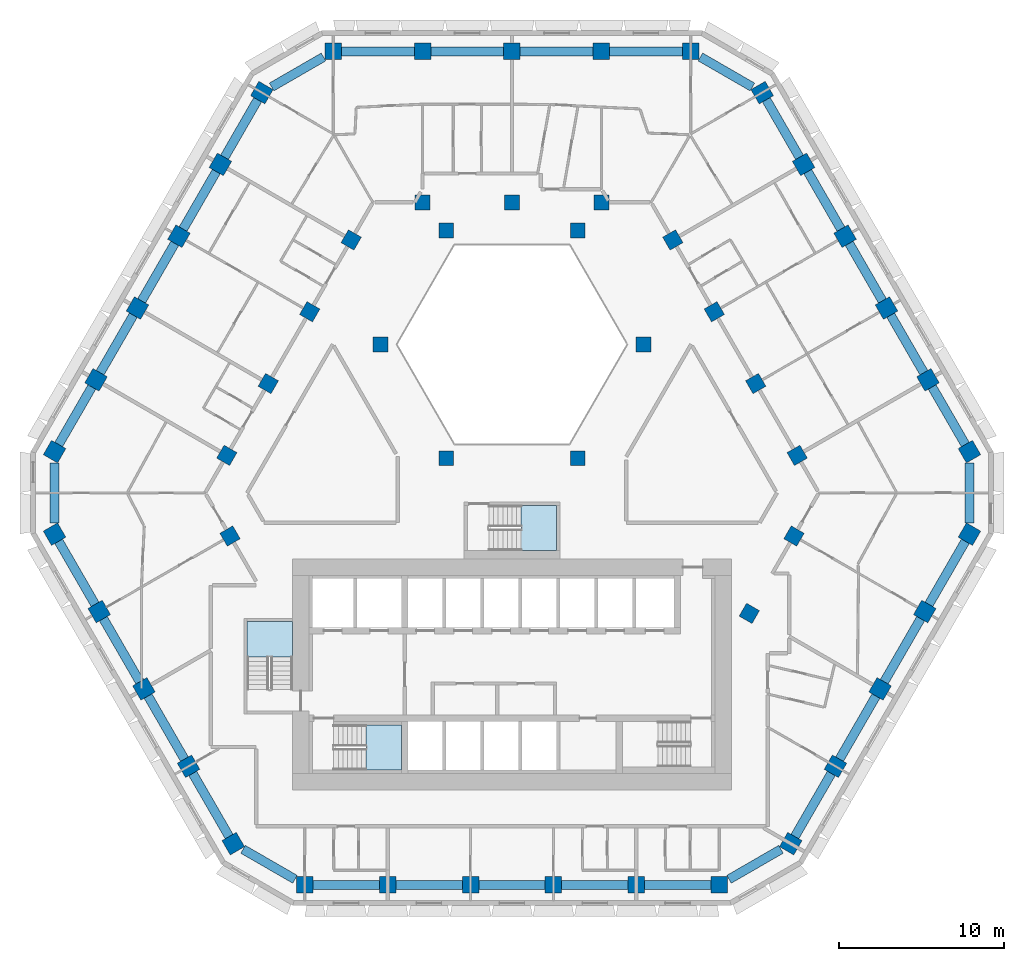
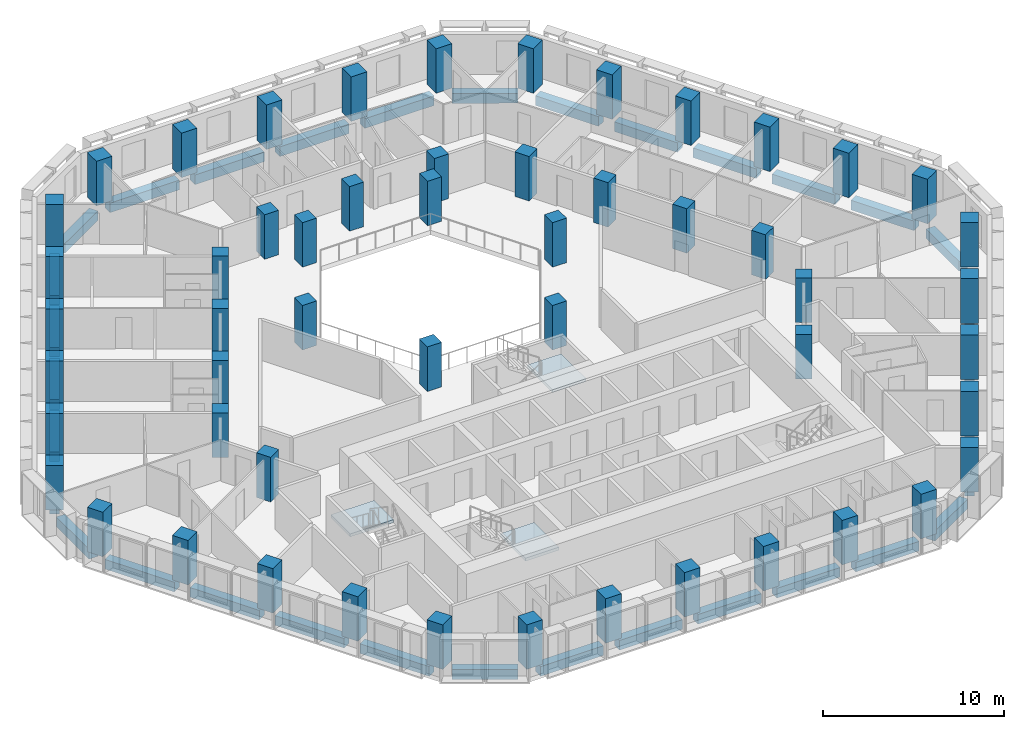
# One storey, part 1 of 15: 53 columns, 33 beams, 3 slabs, 3 elements without a shape of their own.
"""IFC4 building model written with IfcOpenShell, lengths in metres."""

from ifc_helpers import new_model, si_unit, direction, frame, origin, origin_2d, place, context, subcontext, project, spatial, polyline, rectangle, outline, extrude, material, layer, layer_set, material_profile, profile_set, type_object, element, aggregate, save


model = new_model("IFC4")

# Units and contexts
model_context = context("Model", 3, precision=1e-05, world=origin(), true_north=direction((0.0, 1.0)))
body_context = subcontext(model_context, "Body", "Model", "MODEL_VIEW")
ifc_project = project(units=[si_unit("LENGTHUNIT", "METRE"), si_unit("AREAUNIT", "SQUARE_METRE"), si_unit("VOLUMEUNIT", "CUBIC_METRE"), si_unit("PLANEANGLEUNIT", "RADIAN"), si_unit("MASSUNIT", "GRAM", prefix="KILO")], contexts=[model_context])

# Site, building, storey
site_placement = place(None, origin())
site = spatial("IfcSite", under=ifc_project, at=site_placement, CompositionType="ELEMENT")
building_placement = place(site_placement, origin())
building = spatial("IfcBuilding", under=site, at=building_placement, Name="Beryl Residences", CompositionType="ELEMENT")
storey_placement = place(building_placement, frame((0.0, 0.0, 78.0)))
storey = spatial("IfcBuildingStorey", under=building, at=storey_placement, Name="L23", CompositionType="ELEMENT", Elevation=78.0)

# Columns
ifc_material_1 = material(Name="Concrete C70/85", Category="concrete")
ifc_material_profile_1 = material_profile(ifc_material_1, rectangle(XDim=1.0, YDim=1.0, at=origin_2d()))
ifc_profile_set_1 = profile_set([ifc_material_profile_1], Name="Concrete C70/85")
column_type_1 = type_object("IfcColumnType", Name="C2 tube column 1000 x 1000 C70/85", PredefinedType="COLUMN", material=ifc_profile_set_1)
for number, where, z_axis, x_axis, name in (
    (1, (10.824951171875, 25.75, 0.0), (0.0, 0.0, 1.0), (-1.0, 0.0, 0.0), "C2-N1 L23"),
    (2, (5.412109375, 25.75, 0.0), (0.0, 0.0, 1.0), (-1.0, 0.0, 0.0), "C2-N2 L23"),
    (3, (-0.0009765625, 25.75, 0.0), (0.0, 0.0, 1.0), (-1.0, 0.0, 0.0), "C2-N3 L23"),
    (4, (-5.4140625, 25.75, 0.0), (0.0, 0.0, 1.0), (-1.0, 0.0, 0.0), "C2-N4 L23"),
    (5, (-10.826904296875, 25.75, 0.0), (0.0, 0.0, 1.0), (-1.0, 0.0, 0.0), "C2-N5 L23"),
    (6, (-15.155029296875, 23.2509765625, 0.0), (0.0, 0.0, 1.0), (-0.5, -0.866025403784, 0.0), "C2-NW1 L23"),
    (7, (-17.6669921875, 18.89990234375, 0.0), (0.0, 0.0, 1.0), (-0.5, -0.866025403784, 0.0), "C2-NW2 L23"),
    (8, (-20.177978515625, 14.550048828125, 0.0), (0.0, 0.0, 1.0), (-0.5, -0.866025403784, 0.0), "C2-NW3 L23"),
    (9, (-22.68994140625, 10.199951171875, 0.0), (0.0, 0.0, 1.0), (-0.5, -0.866025403784, 0.0), "C2-NW4 L23"),
    (10, (-25.201904296875, 5.85009765625, 0.0), (0.0, 0.0, 1.0), (-0.5, -0.866025403784, 0.0), "C2-NW5 L23"),
    (11, (-27.712890625, 1.5, 0.0), (0.0, 0.0, 1.0), (-0.5, -0.866025403784, 0.0), "C2-NW6 L23"),
    (12, (-27.714111328125, -3.4990234375, 0.0), (0.0, 0.0, 1.0), (0.5, -0.866025403784, 0.0), "C2-SW1 L23"),
    (13, (-25.007080078125, -8.18701171875, 0.0), (0.0, 0.0, 1.0), (0.5, -0.866025403784, 0.0), "C2-SW2 L23"),
    (14, (-22.300048828125, -12.875, 0.0), (0.0, 0.0, 1.0), (0.5, -0.866025403784, 0.0), "C2-SW3 L23"),
    (15, (-19.593994140625, -17.56298828125, 0.0), (0.0, 0.0, 1.0), (0.5, -0.866025403784, 0.0), "C2-SW4 L23"),
    (16, (-16.886962890625, -22.2509765625, 0.0), (0.0, 0.0, 1.0), (0.5, -0.866025403784, 0.0), "C2-SW5 L23"),
    (17, (-12.556884765625, -24.75, 0.0), (0.0, 0.0, 1.0), (1.0, 0.0, 0.0), "C2-S1 L23"),
    (18, (-7.533935546875, -24.75, 0.0), (0.0, 0.0, 1.0), (1.0, 0.0, 0.0), "C2-S2 L23"),
    (19, (-2.510986328125, -24.75, 0.0), (0.0, 0.0, 1.0), (1.0, 0.0, 0.0), "C2-S3 L23"),
    (20, (2.511962890625, -24.75, 0.0), (0.0, 0.0, 1.0), (1.0, 0.0, 0.0), "C2-S4 L23"),
    (21, (7.534912109375, -24.75, 0.0), (0.0, 0.0, 1.0), (1.0, 0.0, 0.0), "C2-S5 L23"),
    (22, (12.55810546875, -24.75, 0.0), (0.0, 0.0, 1.0), (1.0, 0.0, 0.0), "C2-S6 L23"),
    (23, (16.886962890625, -22.2509765625, 0.0), (0.0, 0.0, 1.0), (0.5, 0.866025403784, 0.0), "C2-SE1 L23"),
    (24, (19.593994140625, -17.56298828125, 0.0), (0.0, 0.0, 1.0), (0.5, 0.866025403784, 0.0), "C2-SE2 L23"),
    (25, (22.300048828125, -12.875, 0.0), (0.0, 0.0, 1.0), (0.5, 0.866025403784, 0.0), "C2-SE3 L23"),
    (26, (25.007080078125, -8.18701171875, 0.0), (0.0, 0.0, 1.0), (0.5, 0.866025403784, 0.0), "C2-SE4 L23"),
    (27, (27.714111328125, -3.4990234375, 0.0), (0.0, 0.0, 1.0), (0.5, 0.866025403784, 0.0), "C2-SE5 L23"),
    (28, (27.714111328125, 1.4990234375, 0.0), (0.0, 0.0, 1.0), (-0.5, 0.866025403784, 0.0), "C2-NE1 L23"),
    (29, (25.201904296875, 5.85009765625, 0.0), (0.0, 0.0, 1.0), (-0.5, 0.866025403784, 0.0), "C2-NE2 L23"),
    (30, (22.68994140625, 10.199951171875, 0.0), (0.0, 0.0, 1.0), (-0.5, 0.866025403784, 0.0), "C2-NE3 L23"),
    (31, (20.178955078125, 14.550048828125, 0.0), (0.0, 0.0, 1.0), (-0.5, 0.866025403784, 0.0), "C2-NE4 L23"),
    (32, (17.6669921875, 18.89990234375, 0.0), (0.0, 0.0, 1.0), (-0.5, 0.866025403784, 0.0), "C2-NE5 L23"),
    (33, (15.156005859375, 23.25, 0.0), (0.0, 0.0, 1.0), (-0.5, 0.866025403784, 0.0), "C2-NE6 L23"),
):
    element("IfcColumn", number, at=place(storey_placement, frame(where, z_axis=z_axis, x_axis=x_axis)), inside=storey, type_object=column_type_1, Name=name, PredefinedType="COLUMN", context=body_context, shape_type="SweptSolid", body=[
        extrude(rectangle(XDim=1.0, YDim=1.0, at=origin_2d()), origin(), (0.0, 0.0, 1.0), 3.0),
    ])
ifc_material_2 = material(Name="Concrete C70/85", Category="concrete")
ifc_material_profile_2 = material_profile(ifc_material_2, rectangle(XDim=0.89990234375, YDim=0.89990234375, at=origin_2d()))
ifc_profile_set_2 = profile_set([ifc_material_profile_2], Name="Concrete C70/85")
column_type_2 = type_object("IfcColumnType", Name="IC2 interior column 900 x 900 C70/85", PredefinedType="COLUMN", material=ifc_profile_set_2)
for number, where, z_axis, x_axis, name in (
    (34, (-17.0830078125, -3.612060546875, 0.0), (0.0, 0.0, 1.0), (0.5, -0.866025403784, 0.0), "IC2-M01 L23"),
    (35, (14.3759765625, -8.300048828125, 0.0), (0.0, 0.0, 1.0), (0.5, 0.866025403784, 0.0), "IC2-M02 L23"),
    (36, (17.0830078125, -3.612060546875, 0.0), (0.0, 0.0, 1.0), (0.5, 0.866025403784, 0.0), "IC2-M03 L23"),
    (37, (17.278076171875, 1.27392578125, 0.0), (0.0, 0.0, 1.0), (-0.5, 0.866025403784, 0.0), "IC2-M04 L23"),
    (38, (3.98388671875, 1.10009765625, 0.0), (0.0, 0.0, 1.0), (1.0, 0.0, 0.0), "IC2-A05 L23"),
    (39, (14.76611328125, 5.625, 0.0), (0.0, 0.0, 1.0), (-0.5, 0.866025403784, 0.0), "IC2-M06 L23"),
    (40, (12.2548828125, 9.97509765625, 0.0), (0.0, 0.0, 1.0), (-0.5, 0.866025403784, 0.0), "IC2-M07 L23"),
    (41, (7.967041015625, 8.0, 0.0), (0.0, 0.0, 1.0), (1.0, 0.0, 0.0), "IC2-A08 L23"),
    (42, (9.742919921875, 14.324951171875, 0.0), (0.0, 0.0, 1.0), (-0.5, 0.866025403784, 0.0), "IC2-M09 L23"),
    (43, (5.412109375, 16.60009765625, 0.0), (0.0, 0.0, 1.0), (-1.0, 0.0, 0.0), "IC2-M10 L23"),
    (44, (3.98388671875, 14.89990234375, 0.0), (0.0, 0.0, 1.0), (1.0, 0.0, 0.0), "IC2-A11 L23"),
    (45, (-0.0009765625, 16.60009765625, 0.0), (0.0, 0.0, 1.0), (-1.0, 0.0, 0.0), "IC2-M12 L23"),
    (46, (-3.98388671875, 14.89990234375, 0.0), (0.0, 0.0, 1.0), (1.0, 0.0, 0.0), "IC2-A13 L23"),
    (47, (-5.4140625, 16.60009765625, 0.0), (0.0, 0.0, 1.0), (-1.0, 0.0, 0.0), "IC2-M14 L23"),
    (48, (-9.742919921875, 14.324951171875, 0.0), (0.0, 0.0, 1.0), (-0.5, -0.866025403784, 0.0), "IC2-M15 L23"),
    (49, (-7.967041015625, 8.0, 0.0), (0.0, 0.0, 1.0), (1.0, 0.0, 0.0), "IC2-A16 L23"),
    (50, (-12.25390625, 9.97509765625, 0.0), (0.0, 0.0, 1.0), (-0.5, -0.866025403784, 0.0), "IC2-M17 L23"),
    (51, (-14.76611328125, 5.625, 0.0), (0.0, 0.0, 1.0), (-0.5, -0.866025403784, 0.0), "IC2-M18 L23"),
    (52, (-3.98388671875, 1.10009765625, 0.0), (0.0, 0.0, 1.0), (1.0, 0.0, 0.0), "IC2-A19 L23"),
    (53, (-17.277099609375, 1.27490234375, 0.0), (0.0, 0.0, 1.0), (-0.5, -0.866025403784, 0.0), "IC2-M20 L23"),
):
    element("IfcColumn", number, at=place(storey_placement, frame(where, z_axis=z_axis, x_axis=x_axis)), inside=storey, type_object=column_type_2, Name=name, PredefinedType="COLUMN", context=body_context, shape_type="SweptSolid", body=[
        extrude(rectangle(XDim=0.89990234375, YDim=0.89990234375, at=origin_2d()), origin(), (0.0, 0.0, 1.0), 3.0),
    ])

# Beams
ifc_material_3 = material(Name="Concrete C70/85", Category="concrete")
ifc_material_profile_3 = material_profile(ifc_material_3, rectangle(XDim=0.550048828125, YDim=0.64990234375, at=origin_2d()))
ifc_profile_set_3 = profile_set([ifc_material_profile_3], Name="Concrete C70/85")
beam_type = type_object("IfcBeamType", Name="SB2 spandrel beam 550 x 650 C70/85", PredefinedType="SPANDREL", material=ifc_profile_set_3)
beam_1_placement = place(storey_placement, frame((10.324951171875, 25.75, -0.625), z_axis=(-1.0, 0.0, 0.0), x_axis=(0.0, -1.0, 0.0)))
element("IfcBeam", 54, at=beam_1_placement, inside=storey, type_object=beam_type, Name="SB2 L23 N-0", PredefinedType="SPANDREL", context=body_context, shape_type="SweptSolid", body=[
    extrude(rectangle(XDim=0.550048828125, YDim=0.64990234375, at=origin_2d()), origin(), (0.0, 0.0, 1.0), 4.412841796875),
])
for number, where, z_axis, x_axis, name in (
    (55, (4.912109375, 25.75, -0.625), (-1.0, 0.0, 0.0), (0.0, -1.0, 0.0), "SB2 L23 N-1"),
    (56, (-0.5009765625, 25.75, -0.625), (-1.0, 0.0, 0.0), (0.0, -1.0, 0.0), "SB2 L23 N-2"),
):
    element("IfcBeam", number, at=place(storey_placement, frame(where, z_axis=z_axis, x_axis=x_axis)), inside=storey, type_object=beam_type, Name=name, PredefinedType="SPANDREL", context=body_context, shape_type="SweptSolid", body=[
        extrude(rectangle(XDim=0.550048828125, YDim=0.64990234375, at=origin_2d()), origin(), (0.0, 0.0, 1.0), 4.4130859375),
    ])
beam_2_placement = place(storey_placement, frame((-5.9140625, 25.75, -0.625), z_axis=(-1.0, 0.0, 0.0), x_axis=(0.0, -1.0, 0.0)))
element("IfcBeam", 57, at=beam_2_placement, inside=storey, type_object=beam_type, Name="SB2 L23 N-3", PredefinedType="SPANDREL", context=body_context, shape_type="SweptSolid", body=[
    extrude(rectangle(XDim=0.550048828125, YDim=0.64990234375, at=origin_2d()), origin(), (0.0, 0.0, 1.0), 4.412841796875),
])
beam_3_placement = place(storey_placement, frame((-11.41796875, 25.408935546875, -0.625), z_axis=(-0.865959503272, -0.500114125668, 0.0), x_axis=(0.500114125668, -0.865959503272, 0.0)))
element("IfcBeam", 58, at=beam_3_placement, inside=storey, type_object=beam_type, Name="SB2 L23 N-4", PredefinedType="SPANDREL", context=body_context, shape_type="SweptSolid", body=[
    extrude(rectangle(XDim=0.550048828125, YDim=0.64990234375, at=origin_2d()), origin(), (0.0, 0.0, 1.0), 3.633056640625),
])
beam_4_placement = place(storey_placement, frame((-15.405029296875, 22.818115234375, -0.625), z_axis=(-0.49996928203, -0.866043138087, 0.0), x_axis=(0.866043138087, -0.49996928203, 0.0)))
element("IfcBeam", 59, at=beam_4_placement, inside=storey, type_object=beam_type, Name="SB2 L23 NW-0", PredefinedType="SPANDREL", context=body_context, shape_type="SweptSolid", body=[
    extrude(rectangle(XDim=0.550048828125, YDim=0.64990234375, at=origin_2d()), origin(), (0.0, 0.0, 1.0), 4.024169921875),
])
beam_5_placement = place(storey_placement, frame((-17.9169921875, 18.467041015625, -0.625), z_axis=(-0.499892318183, -0.866087564985, 0.0), x_axis=(0.866087564985, -0.499892318183, 0.0)))
element("IfcBeam", 60, at=beam_5_placement, inside=storey, type_object=beam_type, Name="SB2 L23 NW-1", PredefinedType="SPANDREL", context=body_context, shape_type="SweptSolid", body=[
    extrude(rectangle(XDim=0.550048828125, YDim=0.64990234375, at=origin_2d()), origin(), (0.0, 0.0, 1.0), 4.02294921875),
])
beam_6_placement = place(storey_placement, frame((-20.427978515625, 14.116943359375, -0.625), z_axis=(-0.500100656611, -0.865967281863, 0.0), x_axis=(0.865967281863, -0.500100656611, 0.0)))
element("IfcBeam", 61, at=beam_6_placement, inside=storey, type_object=beam_type, Name="SB2 L23 NW-2", PredefinedType="SPANDREL", context=body_context, shape_type="SweptSolid", body=[
    extrude(rectangle(XDim=0.550048828125, YDim=0.64990234375, at=origin_2d()), origin(), (0.0, 0.0, 1.0), 4.023193359375),
])
beam_7_placement = place(storey_placement, frame((-22.93994140625, 9.76708984375, -0.625), z_axis=(-0.500074377092, -0.865982457891, 0.0), x_axis=(0.865982457891, -0.500074377092, 0.0)))
element("IfcBeam", 62, at=beam_7_placement, inside=storey, type_object=beam_type, Name="SB2 L23 NW-3", PredefinedType="SPANDREL", context=body_context, shape_type="SweptSolid", body=[
    extrude(rectangle(XDim=0.550048828125, YDim=0.64990234375, at=origin_2d()), origin(), (0.0, 0.0, 1.0), 4.0234375),
])
beam_8_placement = place(storey_placement, frame((-25.451904296875, 5.4169921875, -0.625), z_axis=(-0.499918594511, -0.866072398164, 0.0), x_axis=(0.866072398164, -0.499918594511, 0.0)))
element("IfcBeam", 63, at=beam_8_placement, inside=storey, type_object=beam_type, Name="SB2 L23 NW-4", PredefinedType="SPANDREL", context=body_context, shape_type="SweptSolid", body=[
    extrude(rectangle(XDim=0.550048828125, YDim=0.64990234375, at=origin_2d()), origin(), (0.0, 0.0, 1.0), 4.022705078125),
])
beam_9_placement = place(storey_placement, frame((-27.712890625, 0.81689453125, -0.625), z_axis=(-0.000336021486, -0.999999943545, 0.0), x_axis=(0.999999943545, -0.000336021486, 0.0)))
element("IfcBeam", 64, at=beam_9_placement, inside=storey, type_object=beam_type, Name="SB2 L23 NW-5", PredefinedType="SPANDREL", context=body_context, shape_type="SweptSolid", body=[
    extrude(rectangle(XDim=0.550048828125, YDim=0.64990234375, at=origin_2d()), origin(), (0.0, 0.0, 1.0), 3.6328125),
])
beam_10_placement = place(storey_placement, frame((-27.464111328125, -3.931884765625, -0.625), z_axis=(0.50006561292, -0.865987518834, 0.0), x_axis=(0.865987518834, 0.50006561292, 0.0)))
element("IfcBeam", 65, at=beam_10_placement, inside=storey, type_object=beam_type, Name="SB2 L23 SW-0", PredefinedType="SPANDREL", context=body_context, shape_type="SweptSolid", body=[
    extrude(rectangle(XDim=0.550048828125, YDim=0.64990234375, at=origin_2d()), origin(), (0.0, 0.0, 1.0), 4.41357421875),
])
beam_11_placement = place(storey_placement, frame((-24.757080078125, -8.6201171875, -0.625), z_axis=(0.500089568931, -0.865973684962, 0.0), x_axis=(0.865973684962, 0.500089568931, 0.0)))
element("IfcBeam", 66, at=beam_11_placement, inside=storey, type_object=beam_type, Name="SB2 L23 SW-1", PredefinedType="SPANDREL", context=body_context, shape_type="SweptSolid", body=[
    extrude(rectangle(XDim=0.550048828125, YDim=0.64990234375, at=origin_2d()), origin(), (0.0, 0.0, 1.0), 4.413330078125),
])
beam_12_placement = place(storey_placement, frame((-22.050048828125, -13.30810546875, -0.625), z_axis=(0.49992360228, -0.866069507536, 0.0), x_axis=(0.866069507536, 0.49992360228, 0.0)))
element("IfcBeam", 67, at=beam_12_placement, inside=storey, type_object=beam_type, Name="SB2 L23 SW-2", PredefinedType="SPANDREL", context=body_context, shape_type="SweptSolid", body=[
    extrude(rectangle(XDim=0.550048828125, YDim=0.64990234375, at=origin_2d()), origin(), (0.0, 0.0, 1.0), 4.412841796875),
])
beam_13_placement = place(storey_placement, frame((-19.343994140625, -17.99609375, -0.625), z_axis=(0.50006561292, -0.865987518834, 0.0), x_axis=(0.865987518834, 0.50006561292, 0.0)))
element("IfcBeam", 68, at=beam_13_placement, inside=storey, type_object=beam_type, Name="SB2 L23 SW-3", PredefinedType="SPANDREL", context=body_context, shape_type="SweptSolid", body=[
    extrude(rectangle(XDim=0.550048828125, YDim=0.64990234375, at=origin_2d()), origin(), (0.0, 0.0, 1.0), 4.41357421875),
])
beam_14_placement = place(storey_placement, frame((-16.2958984375, -22.592041015625, -0.625), z_axis=(0.866093873939, -0.499881387456, 0.0), x_axis=(0.499881387456, 0.866093873939, 0.0)))
element("IfcBeam", 69, at=beam_14_placement, inside=storey, type_object=beam_type, Name="SB2 L23 SW-4", PredefinedType="SPANDREL", context=body_context, shape_type="SweptSolid", body=[
    extrude(rectangle(XDim=0.550048828125, YDim=0.64990234375, at=origin_2d()), origin(), (0.0, 0.0, 1.0), 3.634765625),
])
for number, where, z_axis, x_axis, name in (
    (70, (-12.056884765625, -24.75, -0.625), (1.0, 0.0, 0.0), (0.0, 1.0, 0.0), "SB2 L23 S-0"),
    (71, (-7.033935546875, -24.75, -0.625), (1.0, 0.0, 0.0), (0.0, 1.0, 0.0), "SB2 L23 S-1"),
    (72, (-2.010986328125, -24.75, -0.625), (1.0, 0.0, 0.0), (0.0, 1.0, 0.0), "SB2 L23 S-2"),
    (73, (3.011962890625, -24.75, -0.625), (1.0, 0.0, 0.0), (0.0, 1.0, 0.0), "SB2 L23 S-3"),
):
    element("IfcBeam", number, at=place(storey_placement, frame(where, z_axis=z_axis, x_axis=x_axis)), inside=storey, type_object=beam_type, Name=name, PredefinedType="SPANDREL", context=body_context, shape_type="SweptSolid", body=[
        extrude(rectangle(XDim=0.550048828125, YDim=0.64990234375, at=origin_2d()), origin(), (0.0, 0.0, 1.0), 4.02294921875),
    ])
beam_15_placement = place(storey_placement, frame((8.034912109375, -24.75, -0.625), z_axis=(1.0, 0.0, 0.0), x_axis=(0.0, 1.0, 0.0)))
element("IfcBeam", 74, at=beam_15_placement, inside=storey, type_object=beam_type, Name="SB2 L23 S-4", PredefinedType="SPANDREL", context=body_context, shape_type="SweptSolid", body=[
    extrude(rectangle(XDim=0.550048828125, YDim=0.64990234375, at=origin_2d()), origin(), (0.0, 0.0, 1.0), 4.023193359375),
])
beam_16_placement = place(storey_placement, frame((13.14892578125, -24.408935546875, -0.625), z_axis=(0.866026712061, 0.499997733992, 0.0), x_axis=(-0.499997733992, 0.866026712061, 0.0)))
element("IfcBeam", 75, at=beam_16_placement, inside=storey, type_object=beam_type, Name="SB2 L23 S-5", PredefinedType="SPANDREL", context=body_context, shape_type="SweptSolid", body=[
    extrude(rectangle(XDim=0.550048828125, YDim=0.64990234375, at=origin_2d()), origin(), (0.0, 0.0, 1.0), 3.6337890625),
])
beam_17_placement = place(storey_placement, frame((17.136962890625, -21.818115234375, -0.625), z_axis=(0.50006561292, 0.865987518834, 0.0), x_axis=(-0.865987518834, 0.50006561292, 0.0)))
element("IfcBeam", 76, at=beam_17_placement, inside=storey, type_object=beam_type, Name="SB2 L23 SE-0", PredefinedType="SPANDREL", context=body_context, shape_type="SweptSolid", body=[
    extrude(rectangle(XDim=0.550048828125, YDim=0.64990234375, at=origin_2d()), origin(), (0.0, 0.0, 1.0), 4.41357421875),
])
beam_18_placement = place(storey_placement, frame((19.843994140625, -17.1298828125, -0.625), z_axis=(0.49992360228, 0.866069507536, 0.0), x_axis=(-0.866069507536, 0.49992360228, 0.0)))
element("IfcBeam", 77, at=beam_18_placement, inside=storey, type_object=beam_type, Name="SB2 L23 SE-1", PredefinedType="SPANDREL", context=body_context, shape_type="SweptSolid", body=[
    extrude(rectangle(XDim=0.550048828125, YDim=0.64990234375, at=origin_2d()), origin(), (0.0, 0.0, 1.0), 4.412841796875),
])
beam_19_placement = place(storey_placement, frame((22.550048828125, -12.44189453125, -0.625), z_axis=(0.500089568931, 0.865973684962, 0.0), x_axis=(-0.865973684962, 0.500089568931, 0.0)))
element("IfcBeam", 78, at=beam_19_placement, inside=storey, type_object=beam_type, Name="SB2 L23 SE-2", PredefinedType="SPANDREL", context=body_context, shape_type="SweptSolid", body=[
    extrude(rectangle(XDim=0.550048828125, YDim=0.64990234375, at=origin_2d()), origin(), (0.0, 0.0, 1.0), 4.413330078125),
])
beam_20_placement = place(storey_placement, frame((25.257080078125, -7.75390625, -0.625), z_axis=(0.50006561292, 0.865987518834, 0.0), x_axis=(-0.865987518834, 0.50006561292, 0.0)))
element("IfcBeam", 79, at=beam_20_placement, inside=storey, type_object=beam_type, Name="SB2 L23 SE-3", PredefinedType="SPANDREL", context=body_context, shape_type="SweptSolid", body=[
    extrude(rectangle(XDim=0.550048828125, YDim=0.64990234375, at=origin_2d()), origin(), (0.0, 0.0, 1.0), 4.41357421875),
])
beam_21_placement = place(storey_placement, frame((27.714111328125, -2.81591796875, -0.625), z_axis=(0.0, 1.0, 0.0), x_axis=(-1.0, 0.0, 0.0)))
element("IfcBeam", 80, at=beam_21_placement, inside=storey, type_object=beam_type, Name="SB2 L23 SE-4", PredefinedType="SPANDREL", context=body_context, shape_type="SweptSolid", body=[
    extrude(rectangle(XDim=0.550048828125, YDim=0.64990234375, at=origin_2d()), origin(), (0.0, 0.0, 1.0), 3.6318359375),
])
beam_22_placement = place(storey_placement, frame((27.464111328125, 1.931884765625, -0.625), z_axis=(-0.500014783214, 0.866016868524, 0.0), x_axis=(-0.866016868524, -0.500014783214, 0.0)))
element("IfcBeam", 81, at=beam_22_placement, inside=storey, type_object=beam_type, Name="SB2 L23 NE-0", PredefinedType="SPANDREL", context=body_context, shape_type="SweptSolid", body=[
    extrude(rectangle(XDim=0.550048828125, YDim=0.64990234375, at=origin_2d()), origin(), (0.0, 0.0, 1.0), 4.0244140625),
])
beam_23_placement = place(storey_placement, frame((24.951904296875, 6.282958984375, -0.625), z_axis=(-0.500074377092, 0.865982457891, 0.0), x_axis=(-0.865982457891, -0.500074377092, 0.0)))
element("IfcBeam", 82, at=beam_23_placement, inside=storey, type_object=beam_type, Name="SB2 L23 NE-1", PredefinedType="SPANDREL", context=body_context, shape_type="SweptSolid", body=[
    extrude(rectangle(XDim=0.550048828125, YDim=0.64990234375, at=origin_2d()), origin(), (0.0, 0.0, 1.0), 4.0234375),
])
beam_24_placement = place(storey_placement, frame((22.43994140625, 10.633056640625, -0.625), z_axis=(-0.499918594511, 0.866072398164, 0.0), x_axis=(-0.866072398164, -0.499918594511, 0.0)))
element("IfcBeam", 83, at=beam_24_placement, inside=storey, type_object=beam_type, Name="SB2 L23 NE-2", PredefinedType="SPANDREL", context=body_context, shape_type="SweptSolid", body=[
    extrude(rectangle(XDim=0.550048828125, YDim=0.64990234375, at=origin_2d()), origin(), (0.0, 0.0, 1.0), 4.022705078125),
])
beam_25_placement = place(storey_placement, frame((19.928955078125, 14.98291015625, -0.625), z_axis=(-0.500074377092, 0.865982457891, 0.0), x_axis=(-0.865982457891, -0.500074377092, 0.0)))
element("IfcBeam", 84, at=beam_25_placement, inside=storey, type_object=beam_type, Name="SB2 L23 NE-3", PredefinedType="SPANDREL", context=body_context, shape_type="SweptSolid", body=[
    extrude(rectangle(XDim=0.550048828125, YDim=0.64990234375, at=origin_2d()), origin(), (0.0, 0.0, 1.0), 4.0234375),
])
beam_26_placement = place(storey_placement, frame((17.4169921875, 19.3330078125, -0.625), z_axis=(-0.499918594511, 0.866072398164, 0.0), x_axis=(-0.866072398164, -0.499918594511, 0.0)))
element("IfcBeam", 85, at=beam_26_placement, inside=storey, type_object=beam_type, Name="SB2 L23 NE-4", PredefinedType="SPANDREL", context=body_context, shape_type="SweptSolid", body=[
    extrude(rectangle(XDim=0.550048828125, YDim=0.64990234375, at=origin_2d()), origin(), (0.0, 0.0, 1.0), 4.022705078125),
])
beam_27_placement = place(storey_placement, frame((14.56494140625, 23.591064453125, -0.625), z_axis=(-0.866044702259, 0.499966572571, 0.0), x_axis=(-0.499966572571, -0.866044702259, 0.0)))
element("IfcBeam", 86, at=beam_27_placement, inside=storey, type_object=beam_type, Name="SB2 L23 NE-5", PredefinedType="SPANDREL", context=body_context, shape_type="SweptSolid", body=[
    extrude(rectangle(XDim=0.550048828125, YDim=0.64990234375, at=origin_2d()), origin(), (0.0, 0.0, 1.0), 3.635986328125),
])

# Stair, slab
ifc_material_4 = material(Name="Concrete C40/50", Category="concrete")
stair_type = type_object("IfcStairType", Name="ST1 protected exit stair, half-turn, 1300 mm flights", PredefinedType="HALF_TURN_STAIR", material=ifc_material_4)
stair_1_placement = place(storey_placement, origin())
stair_1 = element("IfcStair", 87, at=stair_1_placement, inside=storey, type_object=stair_type, Name="L23 PROTECTED EXIT STAIR ST-1", PredefinedType="HALF_TURN_STAIR")
ifc_material_5 = material(Name="Concrete C40/50", Category="concrete")
ifc_layer = layer(ifc_material_5, 0.199951171875)
ifc_layer_set = layer_set([ifc_layer], Name="SLD1 stair landing 200 mm")
slab_type = type_object("IfcSlabType", Name="SLD1 stair landing 200 mm", PredefinedType="LANDING", material=ifc_layer_set)
slab_1_placement = place(storey_placement, frame((0.0, 0.0, 1.300048828125)))
slab_1 = element("IfcSlab", 88, at=slab_1_placement, type_object=slab_type, Name="ST-1 landing 1", PredefinedType="LANDING", context=body_context, shape_type="SweptSolid", body=[
    extrude(outline(polyline([(-8.840087890625, -17.800048828125), (-6.699951171875, -17.800048828125), (-6.699951171875, -15.050048828125), (-8.840087890625, -15.050048828125), (-8.840087890625, -17.800048828125)])), origin(), (0.0, 0.0, 1.0), 0.199951171875),
])
aggregate(stair_1, [slab_1])

stair_2_placement = place(storey_placement, origin())
stair_2 = element("IfcStair", 89, at=stair_2_placement, inside=storey, type_object=stair_type, Name="L23 PROTECTED EXIT STAIR ST-2", PredefinedType="HALF_TURN_STAIR")
slab_2_placement = place(storey_placement, frame((0.0, 0.0, 1.300048828125)))
slab_2 = element("IfcSlab", 90, at=slab_2_placement, type_object=slab_type, Name="ST-2 landing 1", PredefinedType="LANDING", context=body_context, shape_type="SweptSolid", body=[
    extrude(outline(polyline([(-13.300048828125, -10.93994140625), (-13.300048828125, -8.800048828125), (-16.050048828125, -8.800048828125), (-16.050048828125, -10.93994140625), (-13.300048828125, -10.93994140625)])), origin(), (0.0, 0.0, 1.0), 0.199951171875),
])
aggregate(stair_2, [slab_2])

stair_3_placement = place(storey_placement, origin())
stair_3 = element("IfcStair", 91, at=stair_3_placement, inside=storey, type_object=stair_type, Name="L23 PROTECTED EXIT STAIR ST-4", PredefinedType="HALF_TURN_STAIR")
slab_3_placement = place(storey_placement, frame((0.0, 0.0, 1.300048828125)))
slab_3 = element("IfcSlab", 92, at=slab_3_placement, type_object=slab_type, Name="ST-4 landing 1", PredefinedType="LANDING", context=body_context, shape_type="SweptSolid", body=[
    extrude(outline(polyline([(0.56005859375, -4.5), (2.699951171875, -4.5), (2.699951171875, -1.75), (0.56005859375, -1.75), (0.56005859375, -4.5)])), origin(), (0.0, 0.0, 1.0), 0.199951171875),
])
aggregate(stair_3, [slab_3])

save(model, "model.ifc")
